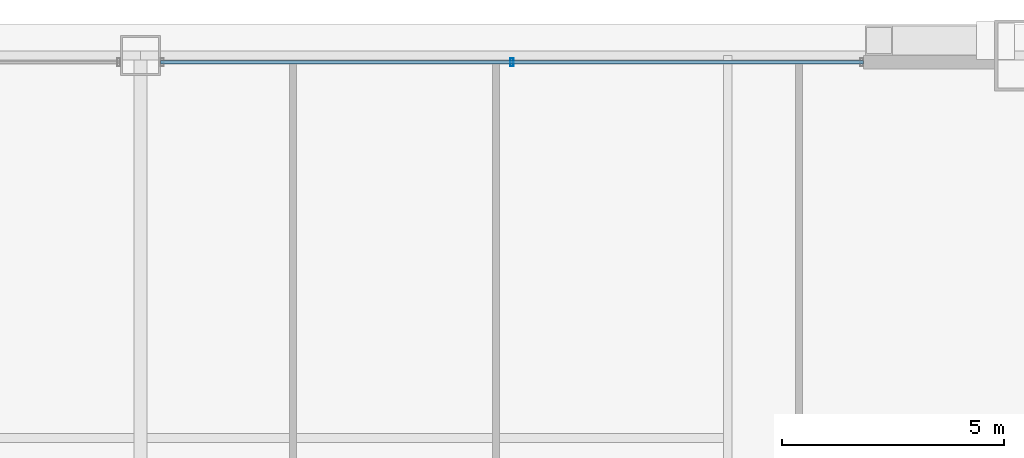
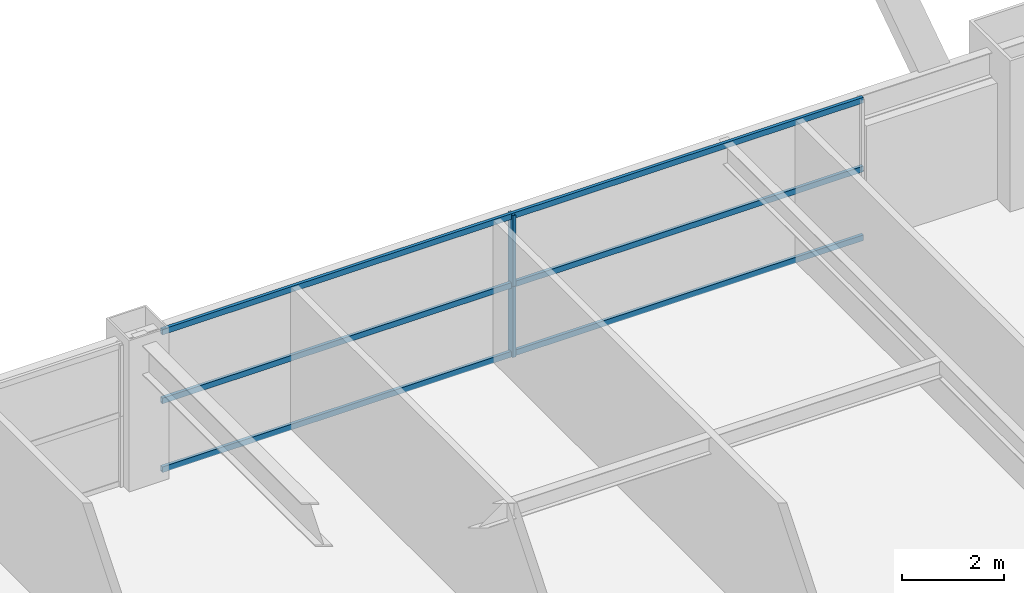
# One storey, part 34 of 43: 5 members, 1 element without a shape of its own.
"""IFC4 building model written with IfcOpenShell, lengths in metres."""

from ifc_helpers import new_model, si_unit, direction, frame, origin, origin_2d, place, context, subcontext, project, spatial, hollow_rectangle, extrude, source, transform, mapped, material, layer, layer_set, material_profile, profile_set, type_object, element, aggregate, save


model = new_model("IFC4")

# Units and contexts
model_context = context("Model", 3, precision=1e-05, world=origin(), true_north=direction((0.0, 1.0)))
body_context = subcontext(model_context, "Body", "Model", "MODEL_VIEW")
ifc_project = project(units=[si_unit("LENGTHUNIT", "METRE"), si_unit("AREAUNIT", "SQUARE_METRE"), si_unit("VOLUMEUNIT", "CUBIC_METRE"), si_unit("PLANEANGLEUNIT", "RADIAN"), si_unit("MASSUNIT", "GRAM", prefix="KILO"), si_unit("THERMODYNAMICTEMPERATUREUNIT", "KELVIN"), si_unit("POWERUNIT", "WATT")], contexts=[model_context])

# Site, building, storey
site_placement = place(None, origin())
site = spatial("IfcSite", under=ifc_project, at=site_placement, CompositionType="ELEMENT")
building_placement = place(site_placement, origin())
building = spatial("IfcBuilding", under=site, at=building_placement, Name="Yuzanri Waterfront Tower", CompositionType="ELEMENT")
storey_placement = place(building_placement, frame((0.0, 0.0, 93.800048828125)))
storey = spatial("IfcBuildingStorey", under=building, at=storey_placement, Name="L24", CompositionType="ELEMENT", Elevation=93.800048828125)

# Curtain wall, members
ifc_material_1 = material(Name="Anodized Architectural Bronze", Category="metal")
ifc_layer = layer(ifc_material_1, 0.159912109375)
ifc_layer_set = layer_set([ifc_layer], Name="Anodized Architectural Bronze")
curtain_wall_type = type_object("IfcCurtainWallType", Name="Anodized Bronze Hotel Upper-Tier Solar-Control Unitized Curtain Wall 7800", PredefinedType="NOTDEFINED", material=ifc_layer_set)
curtain_wall_placement = place(storey_placement, origin())
curtain_wall = element("IfcCurtainWall", 1, at=curtain_wall_placement, inside=storey, type_object=curtain_wall_type, Name="L24 Curtain Wall CW-L24-NR", PredefinedType="NOTDEFINED")
ifc_material_2 = material(Name="Anodized Architectural Bronze", Category="metal")
ifc_material_profile_1 = material_profile(ifc_material_2, hollow_rectangle(XDim=0.070068359375, YDim=0.179931640625, WallThickness=0.00390625, at=origin_2d()), Name="CWM 70x180")
ifc_profile_set_1 = profile_set([ifc_material_profile_1], Name="Anodized Architectural Bronze")
member_type_1 = type_object("IfcMemberType", Name="Anodized Bronze Standard Curtain-Wall Mullion 70x180", PredefinedType="MULLION", material=ifc_profile_set_1)
shared_shape_1 = source(origin(), body_context, "Body", "SweptSolid", [
    extrude(hollow_rectangle(XDim=0.070068359375, YDim=0.179931640625, WallThickness=0.00390625, at=origin_2d()), origin(), (0.0, 0.0, 1.0), 1.68798828125),
])
member_1_placement = place(storey_placement, frame((45.35009765625, 49.25, 0.0), z_axis=(0.0, 0.0, 1.0), x_axis=(1.0, 0.0, 0.0)))
member_1 = element("IfcMember", 2, at=member_1_placement, type_object=member_type_1, Name="CW-L24-NR Lower Mullion 01", PredefinedType="MULLION", context=body_context, shape_type="MappedRepresentation", body=[
    mapped(shared_shape_1, transform((0.0, 0.0, 0.0), scale=1.0)),
])
member_2_placement = place(storey_placement, frame((45.35009765625, 49.25, 1.69189453125), z_axis=(0.0, 0.0, 1.0), x_axis=(1.0, 0.0, 0.0)))
member_2 = element("IfcMember", 3, at=member_2_placement, type_object=member_type_1, Name="CW-L24-NR Upper Mullion 01", PredefinedType="MULLION", context=body_context, shape_type="MappedRepresentation", body=[
    mapped(shared_shape_1, transform((0.0, 0.0, 0.0), scale=1.0)),
])
ifc_material_3 = material(Name="Anodized Architectural Bronze", Category="metal")
ifc_material_profile_2 = material_profile(ifc_material_3, hollow_rectangle(XDim=0.070068359375, YDim=0.135009765625, WallThickness=0.00341796875, at=origin_2d()), Name="CWT 70x135")
ifc_profile_set_2 = profile_set([ifc_material_profile_2], Name="Anodized Architectural Bronze")
member_type_2 = type_object("IfcMemberType", Name="Anodized Bronze Standard Curtain-Wall Transom 70x135", PredefinedType="USERDEFINED", material=ifc_profile_set_2)
shared_shape_2 = source(origin(), body_context, "Body", "SweptSolid", [
    extrude(hollow_rectangle(XDim=0.070068359375, YDim=0.135009765625, WallThickness=0.00341796875, at=origin_2d()), origin(), (0.0, 0.0, 1.0), 15.800048828125),
])
member_3_placement = place(storey_placement, frame((37.449951171875, 49.25, 0.050048828125), z_axis=(1.0, 0.0, 0.0), x_axis=(0.0, 1.0, 0.0)))
member_3 = element("IfcMember", 4, at=member_3_placement, type_object=member_type_2, Name="CW-L24-NR Transom 1", ObjectType="TRANSOM", PredefinedType="USERDEFINED", context=body_context, shape_type="MappedRepresentation", body=[
    mapped(shared_shape_2, transform((0.0, 0.0, 0.0), scale=1.0)),
])
member_4_placement = place(storey_placement, frame((37.449951171875, 49.25, 1.68994140625), z_axis=(1.0, 0.0, 0.0), x_axis=(0.0, 1.0, 0.0)))
member_4 = element("IfcMember", 5, at=member_4_placement, type_object=member_type_2, Name="CW-L24-NR Transom 2", ObjectType="TRANSOM", PredefinedType="USERDEFINED", context=body_context, shape_type="MappedRepresentation", body=[
    mapped(shared_shape_2, transform((0.0, 0.0, 0.0), scale=1.0)),
])
member_5_placement = place(storey_placement, frame((37.449951171875, 49.25, 3.329833984375), z_axis=(1.0, 0.0, 0.0), x_axis=(0.0, 1.0, 0.0)))
member_5 = element("IfcMember", 6, at=member_5_placement, type_object=member_type_2, Name="CW-L24-NR Transom 3", ObjectType="TRANSOM", PredefinedType="USERDEFINED", context=body_context, shape_type="MappedRepresentation", body=[
    mapped(shared_shape_2, transform((0.0, 0.0, 0.0), scale=1.0)),
])
aggregate(curtain_wall, [member_1, member_2, member_3, member_4, member_5])

save(model, "model.ifc")
